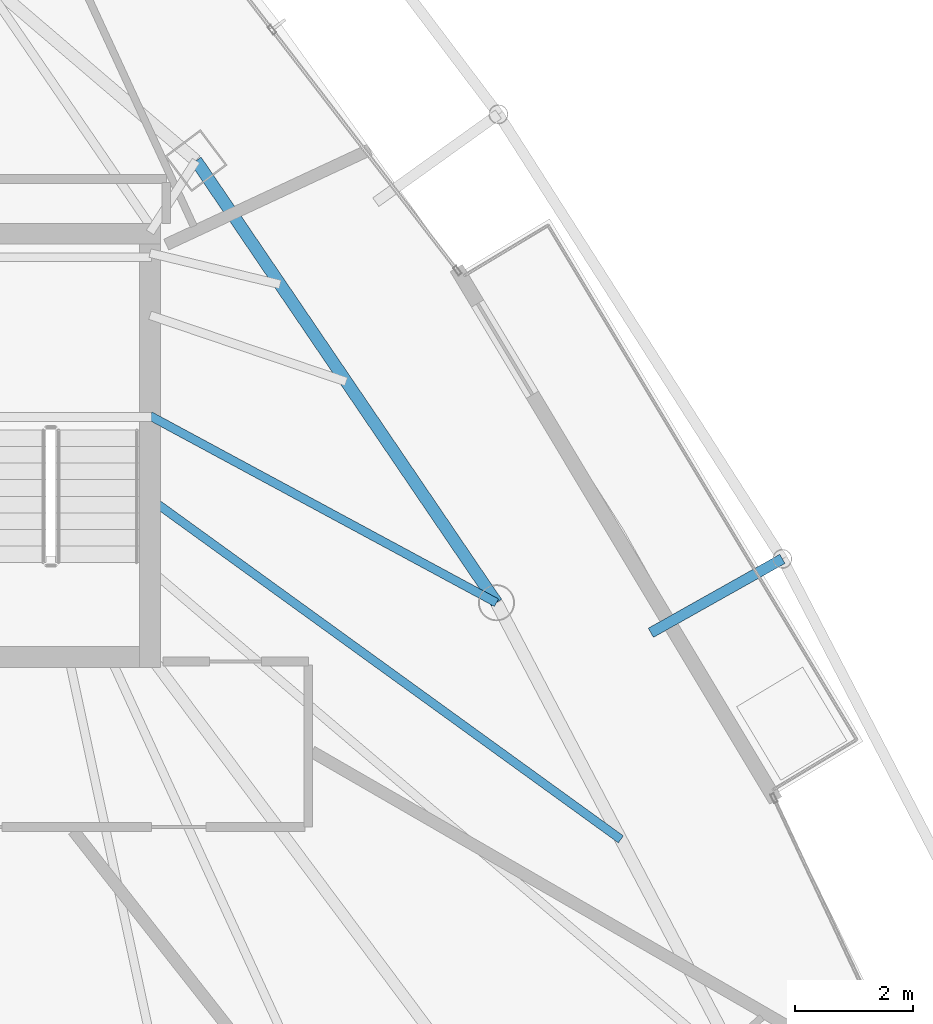
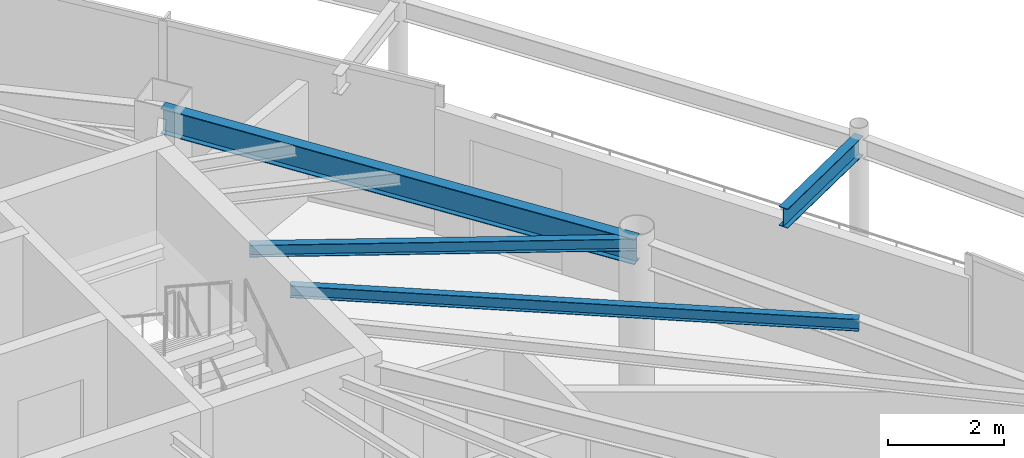
# One storey, part 21 of 33: 4 beams.
"""IFC4 building model written with IfcOpenShell, lengths in metres."""

import ifcopenshell
import ifcopenshell.guid

model = None  # the IFC model being written
_history = None  # IfcOwnerHistory: only IFC2X3 demands one
_inside = {}  # id of a spatial element -> (the spatial element, [elements in it])
_under = {}  # id of a project, library or spatial element -> (it, [spatial elements below it])
_declared = {}  # id of a project -> (the project, [libraries it declares])
_typed = {}  # id of a type object -> (the type object, [elements of that type])
_made_of = {}  # id of a material, layer set ... -> (it, [elements and type objects made of it])


def new_model(schema):
    """Start an empty IFC model of exactly this schema.

    Asked for "IFC4X3", IfcOpenShell would pick the latest addendum, in which some entities
    have other attributes; the version numbers below select the first issue.
    IFC2X3 requires an IfcOwnerHistory on every rooted entity: one is made here for all.
    """
    global model, _history
    if schema == "IFC4X3":
        model = ifcopenshell.file(schema_version=(4, 3, 0, 0))
    else:
        model = ifcopenshell.file(schema=schema)
    _inside.clear()
    _under.clear()
    _declared.clear()
    _typed.clear()
    _made_of.clear()
    _history = None
    if model.schema == "IFC2X3":
        org = make("IfcOrganization", Name="unknown")
        user = make(
            "IfcPersonAndOrganization",
            ThePerson=make("IfcPerson", FamilyName="unknown"),
            TheOrganization=org,
        )
        app = make(
            "IfcApplication",
            ApplicationDeveloper=org,
            Version="unknown",
            ApplicationFullName="unknown",
            ApplicationIdentifier="unknown",
        )
        _history = make(
            "IfcOwnerHistory",
            OwningUser=user,
            OwningApplication=app,
            ChangeAction="ADDED",
            CreationDate=0,
        )
    return model


def make(cls, **values):
    """One entity of the class cls with the attributes given. An attribute that is None is left unset."""
    return model.create_entity(
        cls, **{name: value for name, value in values.items() if value is not None}
    )


def rooted(cls, **values):
    """An entity with a GlobalId (a new one), such as an element, a storey or a relation."""
    return make(cls, GlobalId=ifcopenshell.guid.new(), OwnerHistory=_history, **values)


def si_unit(unit_type, name, prefix=None):
    """IfcSIUnit, for example si_unit("LENGTHUNIT", "METRE", prefix="MILLI")."""
    return make("IfcSIUnit", UnitType=unit_type, Prefix=prefix, Name=name)


def assignment(units):
    """IfcUnitAssignment: the units of a project."""
    return None if units is None else make("IfcUnitAssignment", Units=units)


def point(xyz):
    """IfcCartesianPoint."""
    return None if xyz is None else make("IfcCartesianPoint", Coordinates=xyz)


def direction(xyz):
    """IfcDirection."""
    return None if xyz is None else make("IfcDirection", DirectionRatios=xyz)


def frame(location, z_axis=None, x_axis=None):
    """IfcAxis2Placement3D, a coordinate frame: its origin and axes. An axis left out is left unset."""
    return make(
        "IfcAxis2Placement3D",
        Location=point(location),
        Axis=direction(z_axis),
        RefDirection=direction(x_axis),
    )


def frame_2d(location, x_axis=None):
    """IfcAxis2Placement2D, a coordinate frame in the plane: its origin and x axis."""
    return make(
        "IfcAxis2Placement2D", Location=point(location), RefDirection=direction(x_axis)
    )


def origin():
    """The frame at (0, 0, 0) with its axes left unset."""
    return frame((0.0, 0.0, 0.0))


def origin_2d():
    """The frame at (0, 0) in the plane with its x axis left unset."""
    return frame_2d((0.0, 0.0))


def place(relative_to, where):
    """IfcLocalPlacement: puts the frame where relative to a parent placement (None: the world)."""
    return make(
        "IfcLocalPlacement", PlacementRelTo=relative_to, RelativePlacement=where
    )


def context(
    kind, dimensions, precision=None, world=None, true_north=None, identifier=None
):
    """IfcGeometricRepresentationContext, for example the 3D "Model" context."""
    return make(
        "IfcGeometricRepresentationContext",
        ContextIdentifier=identifier,
        ContextType=kind,
        CoordinateSpaceDimension=dimensions,
        Precision=precision,
        WorldCoordinateSystem=world,
        TrueNorth=true_north,
    )


def subcontext(parent, identifier, kind, view, scale=None):
    """IfcGeometricRepresentationSubContext, for example "Body" below "Model"."""
    return make(
        "IfcGeometricRepresentationSubContext",
        ContextIdentifier=identifier,
        ContextType=kind,
        ParentContext=parent,
        TargetScale=scale,
        TargetView=view,
    )


def project(units=None, contexts=None):
    """IfcProject with its units and contexts."""
    return rooted(
        "IfcProject",
        Name="project",
        RepresentationContexts=contexts,
        UnitsInContext=assignment(units),
    )


def spatial(cls, under=None, at=None, **own):
    """A site, building, storey or space (cls), placed at a placement, below another one or the project."""
    s = rooted(cls, ObjectPlacement=at, **own)
    if under is not None:
        _under.setdefault(under.id(), (under, []))[1].append(s)
    return s


def profile(cls, at=None, kind="AREA", **sizes):
    """A parametric profile (cls). Its sizes go by their IFC names, for example OverallWidth=200.0."""
    return make(cls, ProfileType=kind, Position=at, **sizes)


def i_section(**sizes):
    """IfcIShapeProfileDef."""
    return profile("IfcIShapeProfileDef", **sizes)


def extrude(swept, where, along, depth):
    """IfcExtrudedAreaSolid: the profile swept, set in the frame where, extruded along a direction by depth."""
    return make(
        "IfcExtrudedAreaSolid",
        SweptArea=swept,
        Position=where,
        ExtrudedDirection=direction(along),
        Depth=depth,
    )


def shape(context_of_items, identifier, shape_type, items):
    """IfcShapeRepresentation: the items that make up one representation, for example the "Body"."""
    return make(
        "IfcShapeRepresentation",
        ContextOfItems=context_of_items,
        RepresentationIdentifier=identifier,
        RepresentationType=shape_type,
        Items=items,
    )


def material(Name=None, Category=None):
    """IfcMaterial."""
    return make("IfcMaterial", Name=Name, Category=Category)


def material_profile(
    of_material, cross_section, Name=None, Category=None, Priority=None
):
    """IfcMaterialProfile: a cross section and its material."""
    return make(
        "IfcMaterialProfile",
        Name=Name,
        Material=of_material,
        Profile=cross_section,
        Priority=Priority,
        Category=Category,
    )


def profile_set(profiles, Name=None, composite=None):
    """IfcMaterialProfileSet."""
    return make(
        "IfcMaterialProfileSet",
        Name=Name,
        MaterialProfiles=profiles,
        CompositeProfile=composite,
    )


def made_of(thing, what):
    """Note that an element or type object is made of a material, layer set ...; save() writes the relation."""
    if what is not None:
        _made_of.setdefault(what.id(), (what, []))[1].append(thing)
    return thing


def type_object(cls, material=None, **own):
    """A type object (cls), such as IfcWallType, which elements share."""
    return made_of(rooted(cls, **own), material)


def element(
    cls,
    number,
    at=None,
    inside=None,
    cuts=None,
    type_object=None,
    material=None,
    context=None,
    identifier="Body",
    shape_type=None,
    held_by="IfcProductDefinitionShape",
    body=None,
    shapes=None,
    **own,
):
    """One element of the class cls, such as IfcWall. Its Tag is "e" and its number.

    at: its placement. inside: the storey or other place that contains it. cuts: it is an
    opening in that element (IfcRelVoidsElement). A single representation is given by context,
    identifier, shape_type and body (its items); several are given by shapes. held_by: the class
    of the entity that holds the representations. save() writes the other relations.
    """
    e = rooted(cls, Tag="e%d" % number, ObjectPlacement=at, **own)
    if body is not None:
        shapes = [shape(context, identifier, shape_type, body)]
    if shapes is not None:
        e.Representation = make(held_by, Representations=shapes)
    if inside is not None:
        _inside.setdefault(inside.id(), (inside, []))[1].append(e)
    if cuts is not None:
        rooted(
            "IfcRelVoidsElement", RelatingBuildingElement=cuts, RelatedOpeningElement=e
        )
    if type_object is not None:
        _typed.setdefault(type_object.id(), (type_object, []))[1].append(e)
    return made_of(e, material)


def aggregate(whole, parts):
    """IfcRelAggregates: a whole, such as a stair, and the parts it consists of."""
    return rooted("IfcRelAggregates", RelatingObject=whole, RelatedObjects=parts)


def save(model, path):
    """Write the relations noted so far, then the file.

    IfcRelAggregates (storeys below a building ...), IfcRelContainedInSpatialStructure (elements
    in a storey), IfcRelDefinesByType, IfcRelAssociatesMaterial and IfcRelDeclares: one each for
    every whole, place, type object, material and project.
    """
    for whole, parts in _under.values():
        aggregate(whole, parts)
    for where, things in _inside.values():
        rooted(
            "IfcRelContainedInSpatialStructure",
            RelatedElements=things,
            RelatingStructure=where,
        )
    for kind, things in _typed.values():
        rooted("IfcRelDefinesByType", RelatedObjects=things, RelatingType=kind)
    for what, things in _made_of.values():
        rooted("IfcRelAssociatesMaterial", RelatedObjects=things, RelatingMaterial=what)
    for by, libraries in _declared.values():
        rooted("IfcRelDeclares", RelatingContext=by, RelatedDefinitions=libraries)
    model.write(path)


model = new_model("IFC4")

# Units and contexts
model_context = context("Model", 3, precision=1e-05, world=origin(), true_north=direction((0.0, 1.0)))
body_context = subcontext(model_context, "Body", "Model", "MODEL_VIEW")
ifc_project = project(units=[si_unit("LENGTHUNIT", "METRE"), si_unit("AREAUNIT", "SQUARE_METRE"), si_unit("VOLUMEUNIT", "CUBIC_METRE"), si_unit("PLANEANGLEUNIT", "RADIAN"), si_unit("MASSUNIT", "GRAM", prefix="KILO")], contexts=[model_context])

# Site, building, storey
site_placement = place(None, origin())
site = spatial("IfcSite", under=ifc_project, at=site_placement, CompositionType="ELEMENT")
building_placement = place(site_placement, origin())
building = spatial("IfcBuilding", under=site, at=building_placement, Name="Orvanel Arch Residences", CompositionType="ELEMENT")
storey_placement = place(building_placement, frame((0.0, 0.0, 196.39990234375)))
storey = spatial("IfcBuildingStorey", under=building, at=storey_placement, Name="L55", CompositionType="ELEMENT", Elevation=196.39990234375)

# Beams
ifc_material = material(Name="Structural steel AS/NZS 3679.1 Grade 300 (300 MPa)", Category="steel")
ifc_material_profile_1 = material_profile(ifc_material, i_section(OverallWidth=0.14599609375, OverallDepth=0.251953125, WebThickness=0.006103515625, FlangeThickness=0.008544921875, at=origin_2d()), Name="250UB31.4")
ifc_profile_set_1 = profile_set([ifc_material_profile_1], Name="Structural steel AS/NZS 3679.1 Grade 300 (300 MPa)")
beam_type_1 = type_object("IfcBeamType", Name="BJ-250UB", PredefinedType="JOIST", material=ifc_profile_set_1)
beam_1_placement = place(storey_placement, frame((39.574951171875, 30.800048828125, 2.93408203125), z_axis=(0.880111494021, -0.474767056664, 0.0), x_axis=(0.474767056664, 0.880111494021, 0.0)))
element("IfcBeam", 1, at=beam_1_placement, inside=storey, type_object=beam_type_1, Name="L55 NE Wing Floor Joist", PredefinedType="JOIST", context=body_context, shape_type="SweptSolid", body=[
    extrude(i_section(OverallWidth=0.14599609375, OverallDepth=0.251953125, WebThickness=0.006103515625, FlangeThickness=0.008544921875, at=origin_2d()), origin(), (0.0, 0.0, 1.0), 6.653564453125),
])
beam_2_placement = place(storey_placement, frame((39.574951171875, 29.39990234375, 2.93408203125), z_axis=(0.810144032972, -0.586230881002, 0.0), x_axis=(0.586230881002, 0.810144032972, 0.0)))
element("IfcBeam", 2, at=beam_2_placement, inside=storey, type_object=beam_type_1, Name="L55 CTE Wing Floor Joist", PredefinedType="JOIST", context=body_context, shape_type="SweptSolid", body=[
    extrude(i_section(OverallWidth=0.14599609375, OverallDepth=0.251953125, WebThickness=0.006103515625, FlangeThickness=0.008544921875, at=origin_2d()), origin(), (0.0, 0.0, 1.0), 9.82177734375),
])
ifc_material_profile_2 = material_profile(ifc_material, i_section(OverallWidth=0.177978515625, OverallDepth=0.406005859375, WebThickness=0.0078125, FlangeThickness=0.0126953125, at=origin_2d()), Name="410UB59.7")
ifc_profile_set_2 = profile_set([ifc_material_profile_2], Name="Structural steel AS/NZS 3679.1 Grade 300 (300 MPa)")
beam_type_2 = type_object("IfcBeamType", Name="OB-410UB-EXT", PredefinedType="SPANDREL", material=ifc_profile_set_2)
beam_3_placement = place(storey_placement, frame((48.0390625, 27.133056640625, 2.857177734375), z_axis=(0.871803026856, 0.489856593673, 0.0), x_axis=(-0.489856593673, 0.871803026856, 0.0)))
element("IfcBeam", 3, at=beam_3_placement, inside=storey, type_object=beam_type_2, Name="L55 Outer Frame Radial Tie Beam 10", PredefinedType="SPANDREL", context=body_context, shape_type="SweptSolid", body=[
    extrude(i_section(OverallWidth=0.177978515625, OverallDepth=0.406005859375, WebThickness=0.0078125, FlangeThickness=0.0126953125, at=origin_2d()), origin(), (0.0, 0.0, 1.0), 2.5498046875),
])
ifc_material_profile_3 = material_profile(ifc_material, i_section(OverallWidth=0.208984375, OverallDepth=0.532958984375, WebThickness=0.01025390625, FlangeThickness=0.015625, at=origin_2d()), Name="530UB92.4")
ifc_profile_set_3 = profile_set([ifc_material_profile_3], Name="Structural steel AS/NZS 3679.1 Grade 300 (300 MPa)")
beam_type_3 = type_object("IfcBeamType", Name="SP-530UB", PredefinedType="SPANDREL", material=ifc_profile_set_3)
beam_4_placement = place(storey_placement, frame((45.430908203125, 27.64111328125, 2.794189453125), z_axis=(-0.562154793153, 0.827032035978, 0.0), x_axis=(-0.827032035978, -0.562154793153, 0.0)))
element("IfcBeam", 4, at=beam_4_placement, inside=storey, type_object=beam_type_3, Name="L55 Perimeter Spandrel Beam 08", PredefinedType="SPANDREL", context=body_context, shape_type="SweptSolid", body=[
    extrude(i_section(OverallWidth=0.208984375, OverallDepth=0.532958984375, WebThickness=0.01025390625, FlangeThickness=0.015625, at=origin_2d()), origin(), (0.0, 0.0, 1.0), 9.03466796875),
])

save(model, "model.ifc")
